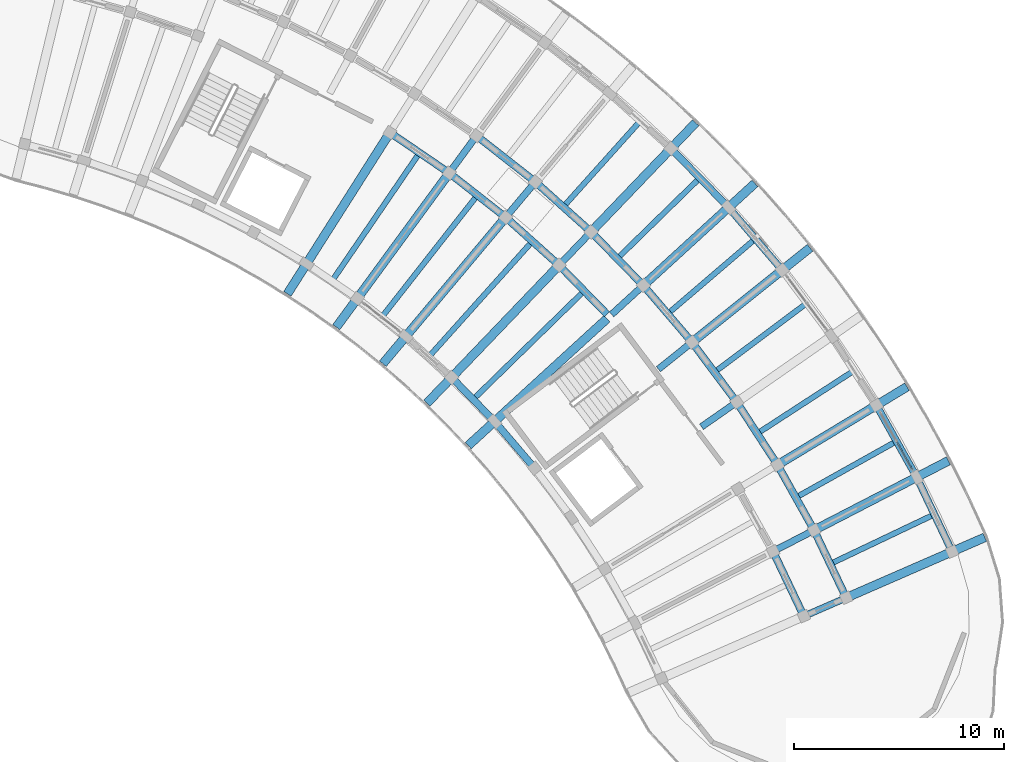
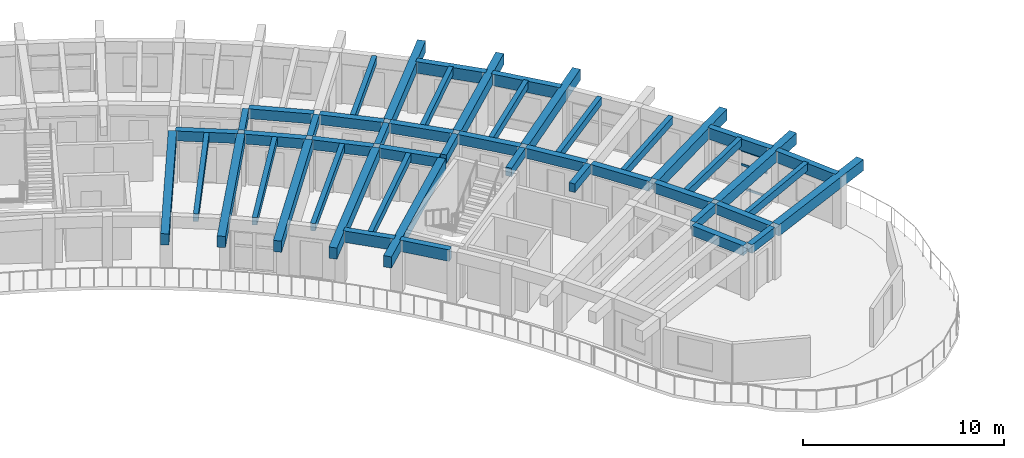
# One storey, part 22 of 62: 49 beams, 3 members, 1 element without a shape of its own.
"""IFC4 building model written with IfcOpenShell, lengths in metres."""

import ifcopenshell
import ifcopenshell.guid

model = None  # the IFC model being written
_history = None  # IfcOwnerHistory: only IFC2X3 demands one
_inside = {}  # id of a spatial element -> (the spatial element, [elements in it])
_under = {}  # id of a project, library or spatial element -> (it, [spatial elements below it])
_declared = {}  # id of a project -> (the project, [libraries it declares])
_typed = {}  # id of a type object -> (the type object, [elements of that type])
_made_of = {}  # id of a material, layer set ... -> (it, [elements and type objects made of it])


def new_model(schema):
    """Start an empty IFC model of exactly this schema.

    Asked for "IFC4X3", IfcOpenShell would pick the latest addendum, in which some entities
    have other attributes; the version numbers below select the first issue.
    IFC2X3 requires an IfcOwnerHistory on every rooted entity: one is made here for all.
    """
    global model, _history
    if schema == "IFC4X3":
        model = ifcopenshell.file(schema_version=(4, 3, 0, 0))
    else:
        model = ifcopenshell.file(schema=schema)
    _inside.clear()
    _under.clear()
    _declared.clear()
    _typed.clear()
    _made_of.clear()
    _history = None
    if model.schema == "IFC2X3":
        org = make("IfcOrganization", Name="unknown")
        user = make(
            "IfcPersonAndOrganization",
            ThePerson=make("IfcPerson", FamilyName="unknown"),
            TheOrganization=org,
        )
        app = make(
            "IfcApplication",
            ApplicationDeveloper=org,
            Version="unknown",
            ApplicationFullName="unknown",
            ApplicationIdentifier="unknown",
        )
        _history = make(
            "IfcOwnerHistory",
            OwningUser=user,
            OwningApplication=app,
            ChangeAction="ADDED",
            CreationDate=0,
        )
    return model


def make(cls, **values):
    """One entity of the class cls with the attributes given. An attribute that is None is left unset."""
    return model.create_entity(
        cls, **{name: value for name, value in values.items() if value is not None}
    )


def rooted(cls, **values):
    """An entity with a GlobalId (a new one), such as an element, a storey or a relation."""
    return make(cls, GlobalId=ifcopenshell.guid.new(), OwnerHistory=_history, **values)


def si_unit(unit_type, name, prefix=None):
    """IfcSIUnit, for example si_unit("LENGTHUNIT", "METRE", prefix="MILLI")."""
    return make("IfcSIUnit", UnitType=unit_type, Prefix=prefix, Name=name)


def assignment(units):
    """IfcUnitAssignment: the units of a project."""
    return None if units is None else make("IfcUnitAssignment", Units=units)


def point(xyz):
    """IfcCartesianPoint."""
    return None if xyz is None else make("IfcCartesianPoint", Coordinates=xyz)


def direction(xyz):
    """IfcDirection."""
    return None if xyz is None else make("IfcDirection", DirectionRatios=xyz)


def frame(location, z_axis=None, x_axis=None):
    """IfcAxis2Placement3D, a coordinate frame: its origin and axes. An axis left out is left unset."""
    return make(
        "IfcAxis2Placement3D",
        Location=point(location),
        Axis=direction(z_axis),
        RefDirection=direction(x_axis),
    )


def frame_2d(location, x_axis=None):
    """IfcAxis2Placement2D, a coordinate frame in the plane: its origin and x axis."""
    return make(
        "IfcAxis2Placement2D", Location=point(location), RefDirection=direction(x_axis)
    )


def origin():
    """The frame at (0, 0, 0) with its axes left unset."""
    return frame((0.0, 0.0, 0.0))


def origin_2d():
    """The frame at (0, 0) in the plane with its x axis left unset."""
    return frame_2d((0.0, 0.0))


def place(relative_to, where):
    """IfcLocalPlacement: puts the frame where relative to a parent placement (None: the world)."""
    return make(
        "IfcLocalPlacement", PlacementRelTo=relative_to, RelativePlacement=where
    )


def context(
    kind, dimensions, precision=None, world=None, true_north=None, identifier=None
):
    """IfcGeometricRepresentationContext, for example the 3D "Model" context."""
    return make(
        "IfcGeometricRepresentationContext",
        ContextIdentifier=identifier,
        ContextType=kind,
        CoordinateSpaceDimension=dimensions,
        Precision=precision,
        WorldCoordinateSystem=world,
        TrueNorth=true_north,
    )


def subcontext(parent, identifier, kind, view, scale=None):
    """IfcGeometricRepresentationSubContext, for example "Body" below "Model"."""
    return make(
        "IfcGeometricRepresentationSubContext",
        ContextIdentifier=identifier,
        ContextType=kind,
        ParentContext=parent,
        TargetScale=scale,
        TargetView=view,
    )


def project(units=None, contexts=None):
    """IfcProject with its units and contexts."""
    return rooted(
        "IfcProject",
        Name="project",
        RepresentationContexts=contexts,
        UnitsInContext=assignment(units),
    )


def spatial(cls, under=None, at=None, **own):
    """A site, building, storey or space (cls), placed at a placement, below another one or the project."""
    s = rooted(cls, ObjectPlacement=at, **own)
    if under is not None:
        _under.setdefault(under.id(), (under, []))[1].append(s)
    return s


def profile(cls, at=None, kind="AREA", **sizes):
    """A parametric profile (cls). Its sizes go by their IFC names, for example OverallWidth=200.0."""
    return make(cls, ProfileType=kind, Position=at, **sizes)


def rectangle(**sizes):
    """IfcRectangleProfileDef."""
    return profile("IfcRectangleProfileDef", **sizes)


def hollow_rectangle(**sizes):
    """IfcRectangleHollowProfileDef."""
    return profile("IfcRectangleHollowProfileDef", **sizes)


def extrude(swept, where, along, depth):
    """IfcExtrudedAreaSolid: the profile swept, set in the frame where, extruded along a direction by depth."""
    return make(
        "IfcExtrudedAreaSolid",
        SweptArea=swept,
        Position=where,
        ExtrudedDirection=direction(along),
        Depth=depth,
    )


def shape(context_of_items, identifier, shape_type, items):
    """IfcShapeRepresentation: the items that make up one representation, for example the "Body"."""
    return make(
        "IfcShapeRepresentation",
        ContextOfItems=context_of_items,
        RepresentationIdentifier=identifier,
        RepresentationType=shape_type,
        Items=items,
    )


def material(Name=None, Category=None):
    """IfcMaterial."""
    return make("IfcMaterial", Name=Name, Category=Category)


def material_profile(
    of_material, cross_section, Name=None, Category=None, Priority=None
):
    """IfcMaterialProfile: a cross section and its material."""
    return make(
        "IfcMaterialProfile",
        Name=Name,
        Material=of_material,
        Profile=cross_section,
        Priority=Priority,
        Category=Category,
    )


def profile_set(profiles, Name=None, composite=None):
    """IfcMaterialProfileSet."""
    return make(
        "IfcMaterialProfileSet",
        Name=Name,
        MaterialProfiles=profiles,
        CompositeProfile=composite,
    )


def made_of(thing, what):
    """Note that an element or type object is made of a material, layer set ...; save() writes the relation."""
    if what is not None:
        _made_of.setdefault(what.id(), (what, []))[1].append(thing)
    return thing


def type_object(cls, material=None, **own):
    """A type object (cls), such as IfcWallType, which elements share."""
    return made_of(rooted(cls, **own), material)


def element(
    cls,
    number,
    at=None,
    inside=None,
    cuts=None,
    type_object=None,
    material=None,
    context=None,
    identifier="Body",
    shape_type=None,
    held_by="IfcProductDefinitionShape",
    body=None,
    shapes=None,
    **own,
):
    """One element of the class cls, such as IfcWall. Its Tag is "e" and its number.

    at: its placement. inside: the storey or other place that contains it. cuts: it is an
    opening in that element (IfcRelVoidsElement). A single representation is given by context,
    identifier, shape_type and body (its items); several are given by shapes. held_by: the class
    of the entity that holds the representations. save() writes the other relations.
    """
    e = rooted(cls, Tag="e%d" % number, ObjectPlacement=at, **own)
    if body is not None:
        shapes = [shape(context, identifier, shape_type, body)]
    if shapes is not None:
        e.Representation = make(held_by, Representations=shapes)
    if inside is not None:
        _inside.setdefault(inside.id(), (inside, []))[1].append(e)
    if cuts is not None:
        rooted(
            "IfcRelVoidsElement", RelatingBuildingElement=cuts, RelatedOpeningElement=e
        )
    if type_object is not None:
        _typed.setdefault(type_object.id(), (type_object, []))[1].append(e)
    return made_of(e, material)


def aggregate(whole, parts):
    """IfcRelAggregates: a whole, such as a stair, and the parts it consists of."""
    return rooted("IfcRelAggregates", RelatingObject=whole, RelatedObjects=parts)


def save(model, path):
    """Write the relations noted so far, then the file.

    IfcRelAggregates (storeys below a building ...), IfcRelContainedInSpatialStructure (elements
    in a storey), IfcRelDefinesByType, IfcRelAssociatesMaterial and IfcRelDeclares: one each for
    every whole, place, type object, material and project.
    """
    for whole, parts in _under.values():
        aggregate(whole, parts)
    for where, things in _inside.values():
        rooted(
            "IfcRelContainedInSpatialStructure",
            RelatedElements=things,
            RelatingStructure=where,
        )
    for kind, things in _typed.values():
        rooted("IfcRelDefinesByType", RelatedObjects=things, RelatingType=kind)
    for what, things in _made_of.values():
        rooted("IfcRelAssociatesMaterial", RelatedObjects=things, RelatingMaterial=what)
    for by, libraries in _declared.values():
        rooted("IfcRelDeclares", RelatingContext=by, RelatedDefinitions=libraries)
    model.write(path)


model = new_model("IFC4")

# Units and contexts
model_context = context("Model", 3, precision=1e-05, world=origin(), true_north=direction((0.0, 1.0)))
body_context = subcontext(model_context, "Body", "Model", "MODEL_VIEW")
ifc_project = project(units=[si_unit("LENGTHUNIT", "METRE"), si_unit("AREAUNIT", "SQUARE_METRE"), si_unit("VOLUMEUNIT", "CUBIC_METRE"), si_unit("PLANEANGLEUNIT", "RADIAN"), si_unit("MASSUNIT", "GRAM", prefix="KILO")], contexts=[model_context])

# Site, building, storey
site_placement = place(None, origin())
site = spatial("IfcSite", under=ifc_project, at=site_placement, CompositionType="ELEMENT")
building_placement = place(site_placement, origin())
building = spatial("IfcBuilding", under=site, at=building_placement, Name="Tanwirah Colonnade Gardens", CompositionType="ELEMENT")
storey_placement = place(building_placement, frame((0.0, 0.0, 32.360107421875)))
storey = spatial("IfcBuildingStorey", under=building, at=storey_placement, Name="L09", CompositionType="ELEMENT", Elevation=32.360107421875)

# Beams
ifc_material_1 = material(Name="Precast concrete C40/50", Category="concrete")
ifc_material_profile_1 = material_profile(ifc_material_1, rectangle(XDim=0.320068359375, YDim=0.52001953125, at=origin_2d()), Name="PC-BM 320x520")
ifc_profile_set_1 = profile_set([ifc_material_profile_1], Name="Precast concrete C40/50")
beam_type_1 = type_object("IfcBeamType", Name="BM-PC320", PredefinedType="BEAM", material=ifc_profile_set_1)
beam_1_placement = place(storey_placement, frame((168.6669921875, 80.981201171875, 2.85498046875), z_axis=(0.916681481826, 0.399618644306, 0.0), x_axis=(-0.399618644306, 0.916681481826, 0.0)))
element("IfcBeam", 1, at=beam_1_placement, inside=storey, type_object=beam_type_1, Name="Block B L09 Corridor Tie Beam 2", PredefinedType="BEAM", context=body_context, shape_type="SweptSolid", body=[
    extrude(rectangle(XDim=0.320068359375, YDim=0.52001953125, at=origin_2d()), origin(), (0.0, 0.0, 1.0), 1.89990234375),
])
beam_2_placement = place(storey_placement, frame((167.194091796875, 84.07666015625, 2.85498046875), z_axis=(0.888385730697, 0.459097803844, 0.0), x_axis=(-0.459097803844, 0.888385730697, 0.0)))
element("IfcBeam", 2, at=beam_2_placement, inside=storey, type_object=beam_type_1, Name="Block B L09 Corridor Tie Beam 3", PredefinedType="BEAM", context=body_context, shape_type="SweptSolid", body=[
    extrude(rectangle(XDim=0.320068359375, YDim=0.52001953125, at=origin_2d()), origin(), (0.0, 0.0, 1.0), 1.900146484375),
])
for number, where, z_axis, x_axis, name in (
    (3, (163.653564453125, 89.943359375, 2.85498046875), (0.820305001782, 0.571926309983, 0.0), (-0.571926309983, 0.820305001782, 0.0), "Block B L09 Corridor Tie Beam 5"),
    (4, (161.601318359375, 92.68896484375, 2.85498046875), (0.78073089418, 0.624867402633, 0.0), (-0.624867402633, 0.78073089418, 0.0), "Block B L09 Corridor Tie Beam 6"),
    (5, (159.37255859375, 95.29345703125, 2.85498046875), (0.737948361517, 0.674857181732, 0.0), (-0.674857181732, 0.737948361517, 0.0), "Block B L09 Corridor Tie Beam 7"),
):
    element("IfcBeam", number, at=place(storey_placement, frame(where, z_axis=z_axis, x_axis=x_axis)), inside=storey, type_object=beam_type_1, Name=name, PredefinedType="BEAM", context=body_context, shape_type="SweptSolid", body=[
        extrude(rectangle(XDim=0.320068359375, YDim=0.52001953125, at=origin_2d()), origin(), (0.0, 0.0, 1.0), 1.89990234375),
    ])
beam_3_placement = place(storey_placement, frame((156.976806640625, 97.74560546875, 2.85498046875), z_axis=(0.691913735329, 0.721980181766, 0.0), x_axis=(-0.721980181766, 0.691913735329, 0.0)))
element("IfcBeam", 6, at=beam_3_placement, inside=storey, type_object=beam_type_1, Name="Block B L09 Corridor Tie Beam 8", PredefinedType="BEAM", context=body_context, shape_type="SweptSolid", body=[
    extrude(rectangle(XDim=0.320068359375, YDim=0.52001953125, at=origin_2d()), origin(), (0.0, 0.0, 1.0), 1.900146484375),
])
beam_4_placement = place(storey_placement, frame((154.425048828125, 100.034423828125, 2.85498046875), z_axis=(0.642797194343, 0.766036400535, 0.0), x_axis=(-0.766036400535, 0.642797194343, 0.0)))
element("IfcBeam", 7, at=beam_4_placement, inside=storey, type_object=beam_type_1, Name="Block B L09 Corridor Tie Beam 9", PredefinedType="BEAM", context=body_context, shape_type="SweptSolid", body=[
    extrude(rectangle(XDim=0.320068359375, YDim=0.52001953125, at=origin_2d()), origin(), (0.0, 0.0, 1.0), 1.89990234375),
])
beam_5_placement = place(storey_placement, frame((151.727783203125, 102.14990234375, 2.85498046875), z_axis=(0.590895676149, 0.806747977939, 0.0), x_axis=(-0.806747977939, 0.590895676149, 0.0)))
element("IfcBeam", 8, at=beam_5_placement, inside=storey, type_object=beam_type_1, Name="Block B L09 Corridor Tie Beam 10", PredefinedType="BEAM", context=body_context, shape_type="SweptSolid", body=[
    extrude(rectangle(XDim=0.320068359375, YDim=0.52001953125, at=origin_2d()), origin(), (0.0, 0.0, 1.0), 1.900146484375),
])
ifc_material_profile_2 = material_profile(ifc_material_1, rectangle(XDim=0.35009765625, YDim=0.60009765625, at=origin_2d()), Name="PC-BM 350x600")
ifc_profile_set_2 = profile_set([ifc_material_profile_2], Name="Precast concrete C40/50")
beam_type_2 = type_object("IfcBeamType", Name="BM-PC350B", PredefinedType="BEAM", material=ifc_profile_set_2)
beam_6_placement = place(storey_placement, frame((168.465087890625, 81.056640625, 2.81494140625), z_axis=(-0.429620507728, 0.903009534468, 0.0), x_axis=(-0.903009534468, -0.429620507728, 0.0)))
element("IfcBeam", 9, at=beam_6_placement, inside=storey, type_object=beam_type_2, Name="Block B L09 Circumferential Beam 2-R1", PredefinedType="BEAM", context=body_context, shape_type="SweptSolid", body=[
    extrude(rectangle(XDim=0.35009765625, YDim=0.60009765625, at=origin_2d()), origin(), (0.0, 0.0, 1.0), 3.1181640625),
])
beam_7_placement = place(storey_placement, frame((170.481689453125, 81.935791015625, 2.81494140625), z_axis=(-0.4295908638, 0.90302363742, 0.0), x_axis=(-0.90302363742, -0.4295908638, 0.0)))
element("IfcBeam", 10, at=beam_7_placement, inside=storey, type_object=beam_type_2, Name="Block B L09 Circumferential Beam 2-R2", PredefinedType="BEAM", context=body_context, shape_type="SweptSolid", body=[
    extrude(rectangle(XDim=0.35009765625, YDim=0.60009765625, at=origin_2d()), origin(), (0.0, 0.0, 1.0), 3.26318359375),
])
for number, where, z_axis, x_axis, name in (
    (11, (168.942138671875, 85.14892578125, 2.81494140625), (-0.488213717102, 0.87272410671, 0.0), (-0.87272410671, -0.488213717102, 0.0), "Block B L09 Circumferential Beam 3-R2"),
    (12, (167.194091796875, 88.25341796875, 2.81494140625), (-0.544627998385, 0.838677735114, 0.0), (-0.838677735114, -0.544627998385, 0.0), "Block B L09 Circumferential Beam 4-R2"),
    (13, (165.245361328125, 91.236083984375, 2.81494140625), (-0.59871829396, 0.800959677186, 0.0), (-0.800959677186, -0.59871829396, 0.0), "Block B L09 Circumferential Beam 5-R2"),
):
    element("IfcBeam", number, at=place(storey_placement, frame(where, z_axis=z_axis, x_axis=x_axis)), inside=storey, type_object=beam_type_2, Name=name, PredefinedType="BEAM", context=body_context, shape_type="SweptSolid", body=[
        extrude(rectangle(XDim=0.35009765625, YDim=0.60009765625, at=origin_2d()), origin(), (0.0, 0.0, 1.0), 3.262939453125),
    ])
beam_8_placement = place(storey_placement, frame((163.1044921875, 94.083740234375, 2.81494140625), z_axis=(-0.650218192342, 0.759747525398, 0.0), x_axis=(-0.759747525398, -0.650218192342, 0.0)))
element("IfcBeam", 14, at=beam_8_placement, inside=storey, type_object=beam_type_2, Name="Block B L09 Circumferential Beam 6-R2", PredefinedType="BEAM", context=body_context, shape_type="SweptSolid", body=[
    extrude(rectangle(XDim=0.35009765625, YDim=0.60009765625, at=origin_2d()), origin(), (0.0, 0.0, 1.0), 3.26318359375),
])
beam_9_placement = place(storey_placement, frame((159.156982421875, 95.299560546875, 2.81494140625), z_axis=(-0.698837366631, 0.715280598787, 0.0), x_axis=(-0.715280598787, -0.698837366631, 0.0)))
element("IfcBeam", 15, at=beam_9_placement, inside=storey, type_object=beam_type_2, Name="Block B L09 Circumferential Beam 7-R1", PredefinedType="BEAM", context=body_context, shape_type="SweptSolid", body=[
    extrude(rectangle(XDim=0.35009765625, YDim=0.60009765625, at=origin_2d()), origin(), (0.0, 0.0, 1.0), 3.117919921875),
])
beam_10_placement = place(storey_placement, frame((160.780517578125, 96.7841796875, 2.81494140625), z_axis=(-0.698829447339, 0.71528833594, 0.0), x_axis=(-0.71528833594, -0.698829447339, 0.0)))
element("IfcBeam", 16, at=beam_10_placement, inside=storey, type_object=beam_type_2, Name="Block B L09 Circumferential Beam 7-R2", PredefinedType="BEAM", context=body_context, shape_type="SweptSolid", body=[
    extrude(rectangle(XDim=0.35009765625, YDim=0.60009765625, at=origin_2d()), origin(), (0.0, 0.0, 1.0), 3.263427734375),
])
beam_11_placement = place(storey_placement, frame((156.761474609375, 97.7373046875, 2.81494140625), z_axis=(-0.744429866059, 0.667700662363, 0.0), x_axis=(-0.667700662363, -0.744429866059, 0.0)))
element("IfcBeam", 17, at=beam_11_placement, inside=storey, type_object=beam_type_2, Name="Block B L09 Circumferential Beam 8-R1", PredefinedType="BEAM", context=body_context, shape_type="SweptSolid", body=[
    extrude(rectangle(XDim=0.35009765625, YDim=0.60009765625, at=origin_2d()), origin(), (0.0, 0.0, 1.0), 3.1181640625),
])
beam_12_placement = place(storey_placement, frame((158.283447265625, 99.32568359375, 2.81494140625), z_axis=(-0.744409136578, 0.667723773262, 0.0), x_axis=(-0.667723773262, -0.744409136578, 0.0)))
element("IfcBeam", 18, at=beam_12_placement, inside=storey, type_object=beam_type_2, Name="Block B L09 Circumferential Beam 8-R2", PredefinedType="BEAM", context=body_context, shape_type="SweptSolid", body=[
    extrude(rectangle(XDim=0.35009765625, YDim=0.60009765625, at=origin_2d()), origin(), (0.0, 0.0, 1.0), 3.26318359375),
])
beam_13_placement = place(storey_placement, frame((154.21044921875, 100.011962890625, 2.81494140625), z_axis=(-0.78679899272, 0.617209320292, 0.0), x_axis=(-0.617209320292, -0.78679899272, 0.0)))
element("IfcBeam", 19, at=beam_13_placement, inside=storey, type_object=beam_type_2, Name="Block B L09 Circumferential Beam 9-R1", PredefinedType="BEAM", context=body_context, shape_type="SweptSolid", body=[
    extrude(rectangle(XDim=0.35009765625, YDim=0.60009765625, at=origin_2d()), origin(), (0.0, 0.0, 1.0), 3.1181640625),
])
beam_14_placement = place(storey_placement, frame((155.624755859375, 101.697265625, 2.81494140625), z_axis=(-0.786839882256, 0.617157192044, 0.0), x_axis=(-0.617157192044, -0.786839882256, 0.0)))
element("IfcBeam", 20, at=beam_14_placement, inside=storey, type_object=beam_type_2, Name="Block B L09 Circumferential Beam 9-R2", PredefinedType="BEAM", context=body_context, shape_type="SweptSolid", body=[
    extrude(rectangle(XDim=0.35009765625, YDim=0.60009765625, at=origin_2d()), origin(), (0.0, 0.0, 1.0), 3.26318359375),
])
beam_15_placement = place(storey_placement, frame((151.515380859375, 102.113525390625, 2.81494140625), z_axis=(-0.825758291455, 0.564024152047, 0.0), x_axis=(-0.564024152047, -0.825758291455, 0.0)))
element("IfcBeam", 21, at=beam_15_placement, inside=storey, type_object=beam_type_2, Name="Block B L09 Circumferential Beam 10-R1", PredefinedType="BEAM", context=body_context, shape_type="SweptSolid", body=[
    extrude(rectangle(XDim=0.35009765625, YDim=0.60009765625, at=origin_2d()), origin(), (0.0, 0.0, 1.0), 3.118408203125),
])
ifc_material_2 = material(Name="Precast concrete C45/55", Category="concrete")
ifc_material_profile_3 = material_profile(ifc_material_2, rectangle(XDim=0.419921875, YDim=0.679931640625, at=origin_2d()), Name="PC-BM 420x680")
ifc_profile_set_3 = profile_set([ifc_material_profile_3], Name="Precast concrete C45/55")
beam_type_3 = type_object("IfcBeamType", Name="BM-PC420", PredefinedType="BEAM", material=ifc_profile_set_3)
beam_16_placement = place(storey_placement, frame((170.68359375, 81.8603515625, 2.77490234375), z_axis=(0.916678725612, 0.399624966702, 0.0), x_axis=(-0.399624966702, 0.916678725612, 0.0)))
element("IfcBeam", 22, at=beam_16_placement, inside=storey, type_object=beam_type_3, Name="Block B L09 Outer Radial Precast Girder 2", PredefinedType="BEAM", context=body_context, shape_type="SweptSolid", body=[
    extrude(rectangle(XDim=0.419921875, YDim=0.679931640625, at=origin_2d()), origin(), (0.0, 0.0, 1.0), 7.050048828125),
])
beam_17_placement = place(storey_placement, frame((169.148681640625, 85.0869140625, 2.77490234375), z_axis=(0.888348690665, 0.459169471758, 0.0), x_axis=(-0.459169471758, 0.888348690665, 0.0)))
element("IfcBeam", 23, at=beam_17_placement, inside=storey, type_object=beam_type_3, Name="Block B L09 Outer Radial Precast Girder 3", PredefinedType="BEAM", context=body_context, shape_type="SweptSolid", body=[
    extrude(rectangle(XDim=0.419921875, YDim=0.679931640625, at=origin_2d()), origin(), (0.0, 0.0, 1.0), 7.0498046875),
])
for number, where, z_axis, x_axis, name in (
    (24, (167.404296875, 88.205078125, 2.77490234375), (0.856157813984, 0.516714425533, 0.0), (-0.516714425533, 0.856157813984, 0.0), "Block B L09 Outer Radial Precast Girder 4"),
    (25, (163.319091796875, 94.0634765625, 2.77490234375), (0.780794476885, 0.624787951921, 0.0), (-0.624787951921, 0.780794476885, 0.0), "Block B L09 Outer Radial Precast Girder 6"),
):
    element("IfcBeam", number, at=place(storey_placement, frame(where, z_axis=z_axis, x_axis=x_axis)), inside=storey, type_object=beam_type_3, Name=name, PredefinedType="BEAM", context=body_context, shape_type="SweptSolid", body=[
        extrude(rectangle(XDim=0.419921875, YDim=0.679931640625, at=origin_2d()), origin(), (0.0, 0.0, 1.0), 7.050048828125),
    ])
beam_18_placement = place(storey_placement, frame((159.151123046875, 95.091064453125, 2.77490234375), z_axis=(-0.737937205818, -0.674869380154, 0.0), x_axis=(0.674869380154, -0.737937205818, 0.0)))
element("IfcBeam", 26, at=beam_18_placement, inside=storey, type_object=beam_type_3, Name="Block B L09 Inner Radial Precast Girder 7", PredefinedType="BEAM", context=body_context, shape_type="SweptSolid", body=[
    extrude(rectangle(XDim=0.419921875, YDim=0.679931640625, at=origin_2d()), origin(), (0.0, 0.0, 1.0), 8.949951171875),
])
beam_19_placement = place(storey_placement, frame((160.995849609375, 96.7783203125, 2.77490234375), z_axis=(0.737934199263, 0.674872667663, 0.0), x_axis=(-0.674872667663, 0.737934199263, 0.0)))
element("IfcBeam", 27, at=beam_19_placement, inside=storey, type_object=beam_type_3, Name="Block B L09 Outer Radial Precast Girder 7", PredefinedType="BEAM", context=body_context, shape_type="SweptSolid", body=[
    extrude(rectangle(XDim=0.419921875, YDim=0.679931640625, at=origin_2d()), origin(), (0.0, 0.0, 1.0), 7.050048828125),
])
beam_20_placement = place(storey_placement, frame((156.769287109375, 97.52880859375, 2.77490234375), z_axis=(-0.691860926595, -0.722030787606, 0.0), x_axis=(0.722030787606, -0.691860926595, 0.0)))
element("IfcBeam", 28, at=beam_20_placement, inside=storey, type_object=beam_type_3, Name="Block B L09 Inner Radial Precast Girder 8", PredefinedType="BEAM", context=body_context, shape_type="SweptSolid", body=[
    extrude(rectangle(XDim=0.419921875, YDim=0.679931640625, at=origin_2d()), origin(), (0.0, 0.0, 1.0), 8.949951171875),
])
beam_21_placement = place(storey_placement, frame((158.4990234375, 99.333984375, 2.77490234375), z_axis=(0.691864746793, 0.722027127015, 0.0), x_axis=(-0.722027127015, 0.691864746793, 0.0)))
element("IfcBeam", 29, at=beam_21_placement, inside=storey, type_object=beam_type_3, Name="Block B L09 Outer Radial Precast Girder 8", PredefinedType="BEAM", context=body_context, shape_type="SweptSolid", body=[
    extrude(rectangle(XDim=0.419921875, YDim=0.679931640625, at=origin_2d()), origin(), (0.0, 0.0, 1.0), 7.050048828125),
])
for number, where, z_axis, x_axis, name in (
    (30, (154.232177734375, 99.804443359375, 2.77490234375), (-0.64279407932, -0.766039014406, 0.0), (0.766039014406, -0.64279407932, 0.0), "Block B L09 Inner Radial Precast Girder 9"),
    (31, (151.550537109375, 101.907958984375, 2.77490234375), (-0.590927205009, -0.806724883947, 0.0), (0.806724883947, -0.590927205009, 0.0), "Block B L09 Inner Radial Precast Girder 10"),
    (32, (148.736083984375, 103.830322265625, 2.77490234375), (-0.536483588607, -0.843910753075, 0.0), (0.843910753075, -0.536483588607, 0.0), "Block B L09 Inner Radial Precast Girder 11"),
):
    element("IfcBeam", number, at=place(storey_placement, frame(where, z_axis=z_axis, x_axis=x_axis)), inside=storey, type_object=beam_type_3, Name=name, PredefinedType="BEAM", context=body_context, shape_type="SweptSolid", body=[
        extrude(rectangle(XDim=0.419921875, YDim=0.679931640625, at=origin_2d()), origin(), (0.0, 0.0, 1.0), 8.949951171875),
    ])

# Curtain wall, members
ifc_material_3 = material(Name="Bronze-anodised aluminium and solar-control low-E glass", Category="aluminium")
curtain_wall_type = type_object("IfcCurtainWallType", Name="CW-LOB", PredefinedType="NOTDEFINED", material=ifc_material_3)
curtain_wall_placement = place(storey_placement, origin())
curtain_wall = element("IfcCurtainWall", 33, at=curtain_wall_placement, inside=storey, type_object=curtain_wall_type, Name="Curtain Wall CW-B-L09-OUT-03", PredefinedType="NOTDEFINED")
ifc_material_4 = material(Name="Bronze-anodised aluminium", Category="aluminium")
ifc_material_profile_4 = material_profile(ifc_material_4, hollow_rectangle(XDim=0.06494140625, YDim=0.135009765625, WallThickness=0.00390625, at=origin_2d()), Name="CW-TRN 65x135x4")
ifc_profile_set_4 = profile_set([ifc_material_profile_4], Name="Bronze-anodised aluminium")
member_type = type_object("IfcMemberType", Name="CWT-65x135", PredefinedType="USERDEFINED", material=ifc_profile_set_4)
member_1_placement = place(storey_placement, frame((173.69384765625, 87.914306640625, 0.032470703125), z_axis=(-0.488188457917, 0.872738236562, 0.0), x_axis=(-0.872738236562, -0.488188457917, 0.0)))
member_1 = element("IfcMember", 34, at=member_1_placement, type_object=member_type, Name="CW-LOB transom 1.1", ObjectType="TRANSOM", PredefinedType="USERDEFINED", context=body_context, shape_type="SweptSolid", body=[
    extrude(hollow_rectangle(XDim=0.06494140625, YDim=0.135009765625, WallThickness=0.00390625, at=origin_2d()), origin(), (0.0, 0.0, 1.0), 1.50537109375),
])
member_2_placement = place(storey_placement, frame((173.69384765625, 87.914306640625, 1.4599609375), z_axis=(-0.488188457917, 0.872738236562, 0.0), x_axis=(-0.872738236562, -0.488188457917, 0.0)))
member_2 = element("IfcMember", 35, at=member_2_placement, type_object=member_type, Name="CW-LOB transom 1.2", ObjectType="TRANSOM", PredefinedType="USERDEFINED", context=body_context, shape_type="SweptSolid", body=[
    extrude(hollow_rectangle(XDim=0.06494140625, YDim=0.135009765625, WallThickness=0.00390625, at=origin_2d()), origin(), (0.0, 0.0, 1.0), 1.50537109375),
])
member_3_placement = place(storey_placement, frame((173.69384765625, 87.914306640625, 2.322509765625), z_axis=(-0.488188457917, 0.872738236562, 0.0), x_axis=(-0.872738236562, -0.488188457917, 0.0)))
member_3 = element("IfcMember", 36, at=member_3_placement, type_object=member_type, Name="CW-LOB transom 1.3", ObjectType="TRANSOM", PredefinedType="USERDEFINED", context=body_context, shape_type="SweptSolid", body=[
    extrude(hollow_rectangle(XDim=0.06494140625, YDim=0.135009765625, WallThickness=0.00390625, at=origin_2d()), origin(), (0.0, 0.0, 1.0), 1.50537109375),
])
aggregate(curtain_wall, [member_1, member_2, member_3])

# Beams
ifc_material_profile_5 = material_profile(ifc_material_1, rectangle(XDim=0.260009765625, YDim=0.4599609375, at=origin_2d()), Name="PC-JST 260x460")
ifc_profile_set_5 = profile_set([ifc_material_profile_5], Name="Precast concrete C40/50")
beam_type_4 = type_object("IfcBeamType", Name="JST-PC260", PredefinedType="JOIST", material=ifc_profile_set_5)
beam_22_placement = place(storey_placement, frame((169.91552734375, 83.473388671875, 2.885009765625), z_axis=(0.903018314862, 0.429602051931, 0.0), x_axis=(-0.429602051931, 0.903018314862, 0.0)))
element("IfcBeam", 37, at=beam_22_placement, inside=storey, type_object=beam_type_4, Name="Block B L09 Precast Floor Joist 2", PredefinedType="JOIST", context=body_context, shape_type="SweptSolid", body=[
    extrude(rectangle(XDim=0.260009765625, YDim=0.4599609375, at=origin_2d()), origin(), (0.0, 0.0, 1.0), 5.26025390625),
])
beam_23_placement = place(storey_placement, frame((168.27587890625, 86.645751953125, 2.885009765625), z_axis=(0.872737031138, 0.488190612855, 0.0), x_axis=(-0.488190612855, 0.872737031138, 0.0)))
element("IfcBeam", 38, at=beam_23_placement, inside=storey, type_object=beam_type_4, Name="Block B L09 Precast Floor Joist 3", PredefinedType="JOIST", context=body_context, shape_type="SweptSolid", body=[
    extrude(rectangle(XDim=0.260009765625, YDim=0.4599609375, at=origin_2d()), origin(), (0.0, 0.0, 1.0), 5.260009765625),
])
beam_24_placement = place(storey_placement, frame((166.4306640625, 89.703125, 2.885009765625), z_axis=(0.83868742622, 0.544613074669, 0.0), x_axis=(-0.544613074669, 0.83868742622, 0.0)))
element("IfcBeam", 39, at=beam_24_placement, inside=storey, type_object=beam_type_4, Name="Block B L09 Precast Floor Joist 4", PredefinedType="JOIST", context=body_context, shape_type="SweptSolid", body=[
    extrude(rectangle(XDim=0.260009765625, YDim=0.4599609375, at=origin_2d()), origin(), (0.0, 0.0, 1.0), 5.26025390625),
])
beam_25_placement = place(storey_placement, frame((164.38818359375, 92.63232421875, 2.885009765625), z_axis=(0.800973647215, 0.598699604533, 0.0), x_axis=(-0.598699604533, 0.800973647215, 0.0)))
element("IfcBeam", 40, at=beam_25_placement, inside=storey, type_object=beam_type_4, Name="Block B L09 Precast Floor Joist 5", PredefinedType="JOIST", context=body_context, shape_type="SweptSolid", body=[
    extrude(rectangle(XDim=0.260009765625, YDim=0.4599609375, at=origin_2d()), origin(), (0.0, 0.0, 1.0), 5.260009765625),
])
beam_26_placement = place(storey_placement, frame((162.156982421875, 95.42041015625, 2.885009765625), z_axis=(0.759770723643, 0.65019108537, 0.0), x_axis=(-0.65019108537, 0.759770723643, 0.0)))
element("IfcBeam", 41, at=beam_26_placement, inside=storey, type_object=beam_type_4, Name="Block B L09 Precast Floor Joist 6", PredefinedType="JOIST", context=body_context, shape_type="SweptSolid", body=[
    extrude(rectangle(XDim=0.260009765625, YDim=0.4599609375, at=origin_2d()), origin(), (0.0, 0.0, 1.0), 5.26025390625),
])
beam_27_placement = place(storey_placement, frame((159.7470703125, 98.0556640625, 2.885009765625), z_axis=(0.715297399369, 0.698820170327, 0.0), x_axis=(-0.698820170327, 0.715297399369, 0.0)))
element("IfcBeam", 42, at=beam_27_placement, inside=storey, type_object=beam_type_4, Name="Block B L09 Precast Floor Joist 7", PredefinedType="JOIST", context=body_context, shape_type="SweptSolid", body=[
    extrude(rectangle(XDim=0.260009765625, YDim=0.4599609375, at=origin_2d()), origin(), (0.0, 0.0, 1.0), 5.260009765625),
])
beam_28_placement = place(storey_placement, frame((152.88037109375, 91.346923828125, 2.885009765625), z_axis=(0.715276680509, 0.698841377081, 0.0), x_axis=(-0.698841377081, 0.715276680509, 0.0)))
element("IfcBeam", 43, at=beam_28_placement, inside=storey, type_object=beam_type_4, Name="Block B L09 Inner Precast Floor Joist 7", PredefinedType="JOIST", context=body_context, shape_type="SweptSolid", body=[
    extrude(rectangle(XDim=0.260009765625, YDim=0.4599609375, at=origin_2d()), origin(), (0.0, 0.0, 1.0), 7.159912109375),
])
beam_29_placement = place(storey_placement, frame((157.168701171875, 100.5263671875, 2.885009765625), z_axis=(0.667678987176, 0.744449306591, 0.0), x_axis=(-0.744449306591, 0.667678987176, 0.0)))
element("IfcBeam", 44, at=beam_29_placement, inside=storey, type_object=beam_type_4, Name="Block B L09 Precast Floor Joist 8", PredefinedType="JOIST", context=body_context, shape_type="SweptSolid", body=[
    extrude(rectangle(XDim=0.260009765625, YDim=0.4599609375, at=origin_2d()), origin(), (0.0, 0.0, 1.0), 5.260009765625),
])
beam_30_placement = place(storey_placement, frame((150.7587890625, 93.379638671875, 2.885009765625), z_axis=(0.667688404274, 0.744440860511, 0.0), x_axis=(-0.744440860511, 0.667688404274, 0.0)))
element("IfcBeam", 45, at=beam_30_placement, inside=storey, type_object=beam_type_4, Name="Block B L09 Inner Precast Floor Joist 8", PredefinedType="JOIST", context=body_context, shape_type="SweptSolid", body=[
    extrude(rectangle(XDim=0.260009765625, YDim=0.4599609375, at=origin_2d()), origin(), (0.0, 0.0, 1.0), 7.16015625),
])
for number, where, z_axis, x_axis, name in (
    (46, (148.508056640625, 95.268310546875, 2.885009765625), (0.617202438917, 0.786804390808, 0.0), (-0.786804390808, 0.617202438917, 0.0), "Block B L09 Inner Precast Floor Joist 9"),
    (47, (146.1376953125, 97.004638671875, 2.885009765625), (0.564021195806, 0.825760310672, 0.0), (-0.825760310672, 0.564021195806, 0.0), "Block B L09 Inner Precast Floor Joist 10"),
):
    element("IfcBeam", number, at=place(storey_placement, frame(where, z_axis=z_axis, x_axis=x_axis)), inside=storey, type_object=beam_type_4, Name=name, PredefinedType="JOIST", context=body_context, shape_type="SweptSolid", body=[
        extrude(rectangle(XDim=0.260009765625, YDim=0.4599609375, at=origin_2d()), origin(), (0.0, 0.0, 1.0), 7.159912109375),
    ])
ifc_material_profile_6 = material_profile(ifc_material_1, rectangle(XDim=0.3349609375, YDim=0.695068359375, at=origin_2d()), Name="PC-SP 335x695")
ifc_profile_set_6 = profile_set([ifc_material_profile_6], Name="Precast concrete C40/50")
beam_type_5 = type_object("IfcBeamType", Name="SP-PC300", PredefinedType="SPANDREL", material=ifc_profile_set_6)
for number, where, z_axis, x_axis, name in (
    (48, (175.5234375, 84.1337890625, 2.767333984375), (-0.429593766142, 0.903022256698, 0.0), (-0.903022256698, -0.429593766142, 0.0), "Block B L09 Circumferential Beam 2-R3"),
    (49, (173.828125, 87.67431640625, 2.767333984375), (-0.488236312193, 0.872711466326, 0.0), (-0.872711466326, -0.488236312193, 0.0), "Block B L09 Circumferential Beam 3-R3"),
):
    element("IfcBeam", number, at=place(storey_placement, frame(where, z_axis=z_axis, x_axis=x_axis)), inside=storey, type_object=beam_type_5, Name=name, PredefinedType="SPANDREL", context=body_context, shape_type="SweptSolid", body=[
        extrude(rectangle(XDim=0.3349609375, YDim=0.695068359375, at=origin_2d()), origin(), (0.0, 0.0, 1.0), 3.625732421875),
    ])
beam_31_placement = place(storey_placement, frame((155.60888671875, 88.0859375, 2.767333984375), z_axis=(-0.650217875778, 0.759747796323, 0.0), x_axis=(-0.759747796323, -0.650217875778, 0.0)))
element("IfcBeam", 50, at=beam_31_placement, inside=storey, type_object=beam_type_5, Name="Block B L09 Circumferential Beam 6-R0", PredefinedType="SPANDREL", context=body_context, shape_type="SweptSolid", body=[
    extrude(rectangle(XDim=0.3349609375, YDim=0.695068359375, at=origin_2d()), origin(), (0.0, 0.0, 1.0), 2.630126953125),
])
beam_32_placement = place(storey_placement, frame((167.398681640625, 97.52001953125, 2.767333984375), z_axis=(-0.650170105297, 0.759788677317, 0.0), x_axis=(-0.759788677317, -0.650170105297, 0.0)))
element("IfcBeam", 51, at=beam_32_placement, inside=storey, type_object=beam_type_5, Name="Block B L09 Circumferential Beam 6-R3", PredefinedType="SPANDREL", context=body_context, shape_type="SweptSolid", body=[
    extrude(rectangle(XDim=0.3349609375, YDim=0.695068359375, at=origin_2d()), origin(), (0.0, 0.0, 1.0), 3.625732421875),
])
beam_33_placement = place(storey_placement, frame((153.6962890625, 90.305419921875, 2.767333984375), z_axis=(-0.698844462704, 0.715273665772, 0.0), x_axis=(-0.715273665772, -0.698844462704, 0.0)))
element("IfcBeam", 52, at=beam_33_placement, inside=storey, type_object=beam_type_5, Name="Block B L09 Circumferential Beam 7-R0", PredefinedType="SPANDREL", context=body_context, shape_type="SweptSolid", body=[
    extrude(rectangle(XDim=0.3349609375, YDim=0.695068359375, at=origin_2d()), origin(), (0.0, 0.0, 1.0), 2.630126953125),
])
beam_34_placement = place(storey_placement, frame((164.839111328125, 100.49609375, 2.767333984375), z_axis=(-0.698844493997, 0.715273635199, 0.0), x_axis=(-0.715273635199, -0.698844493997, 0.0)))
element("IfcBeam", 53, at=beam_34_placement, inside=storey, type_object=beam_type_5, Name="Block B L09 Circumferential Beam 7-R3", PredefinedType="SPANDREL", context=body_context, shape_type="SweptSolid", body=[
    extrude(rectangle(XDim=0.3349609375, YDim=0.695068359375, at=origin_2d()), origin(), (0.0, 0.0, 1.0), 3.6259765625),
])

save(model, "model.ifc")
